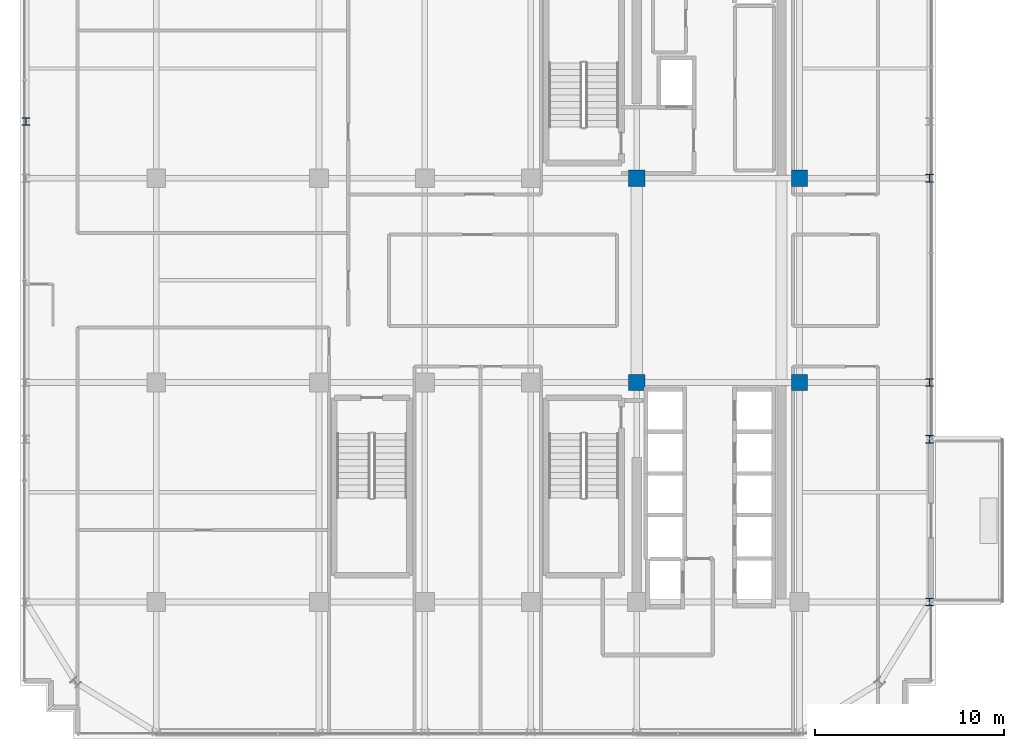
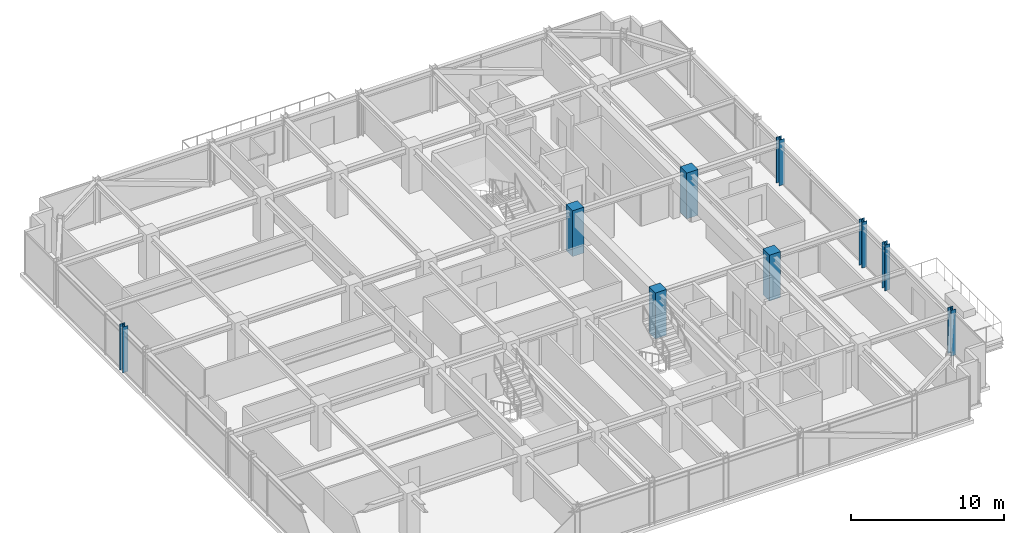
# One storey, part 2 of 42: 9 columns.
"""IFC4 building model written with IfcOpenShell, lengths in metres."""

from ifc_helpers import new_model, si_unit, direction, frame, origin, origin_2d, place, context, subcontext, project, spatial, rectangle, i_section, extrude, source, transform, mapped, material, material_profile, profile_set, type_object, element, save


model = new_model("IFC4")

# Units and contexts
model_context = context("Model", 3, precision=1e-05, world=origin(), true_north=direction((0.0, 1.0)))
body_context = subcontext(model_context, "Body", "Model", "MODEL_VIEW")
ifc_project = project(units=[si_unit("LENGTHUNIT", "METRE"), si_unit("AREAUNIT", "SQUARE_METRE"), si_unit("VOLUMEUNIT", "CUBIC_METRE"), si_unit("PLANEANGLEUNIT", "RADIAN"), si_unit("MASSUNIT", "GRAM", prefix="KILO")], contexts=[model_context])

# Site, building, storey
site_placement = place(None, origin())
site = spatial("IfcSite", under=ifc_project, at=site_placement, CompositionType="ELEMENT")
building_placement = place(site_placement, origin())
building = spatial("IfcBuilding", under=site, at=building_placement, Name="Nahalor Promenade Grand Hotel", CompositionType="ELEMENT")
storey_placement = place(building_placement, frame((0.0, 0.0, 249.300048828125)))
storey = spatial("IfcBuildingStorey", under=building, at=storey_placement, Name="L64", CompositionType="ELEMENT", Elevation=249.300048828125)

# Columns
ifc_material_1 = material(Name="Concrete B-70 (C60/75)", Category="concrete")
ifc_material_profile_1 = material_profile(ifc_material_1, rectangle(XDim=0.85, YDim=0.85, at=origin_2d()), Name="RC 850x850")
ifc_profile_set_1 = profile_set([ifc_material_profile_1], Name="Concrete B-70 (C60/75)")
column_type_1 = type_object("IfcColumnType", Name="Col-Pilaster-850", PredefinedType="PILASTER", material=ifc_profile_set_1)
shared_shape_1 = source(origin(), body_context, "Body", "SweptSolid", [
    extrude(rectangle(XDim=0.85, YDim=0.85, at=origin_2d()), origin(), (0.0, 0.0, 1.0), 3.655029296875),
])
for number, where, z_axis, x_axis, name in (
    (1, (8.39990234375, -5.39990234375, 0.0), (0.0, 0.0, 1.0), (1.0, 0.0, 0.0), "COL-L64-I41"),
    (2, (8.39990234375, 5.39990234375, 0.0), (0.0, 0.0, 1.0), (1.0, 0.0, 0.0), "COL-L64-I42"),
    (3, (17.0, -5.39990234375, 0.0), (0.0, 0.0, 1.0), (1.0, 0.0, 0.0), "COL-L64-I51"),
    (4, (17.0, 5.39990234375, 0.0), (0.0, 0.0, 1.0), (1.0, 0.0, 0.0), "COL-L64-I52"),
):
    element("IfcColumn", number, at=place(storey_placement, frame(where, z_axis=z_axis, x_axis=x_axis)), inside=storey, type_object=column_type_1, Name=name, PredefinedType="PILASTER", context=body_context, shape_type="MappedRepresentation", body=[
        mapped(shared_shape_1, transform((0.0, 0.0, 0.0), scale=1.0)),
    ])
ifc_material_2 = material(Name="Steel S355JR", Category="steel")
ifc_material_profile_2 = material_profile(ifc_material_2, i_section(OverallWidth=0.401, OverallDepth=0.406, WebThickness=0.0161, FlangeThickness=0.025, at=origin_2d()), Name="HD 400x314")
ifc_profile_set_2 = profile_set([ifc_material_profile_2], Name="Steel S355JR")
column_type_2 = type_object("IfcColumnType", Name="Col-Steel-HD314", PredefinedType="COLUMN", material=ifc_profile_set_2)
shared_shape_2 = source(origin(), body_context, "Body", "SweptSolid", [
    extrude(i_section(OverallWidth=0.401, OverallDepth=0.406, WebThickness=0.0161, FlangeThickness=0.025, at=origin_2d()), origin(), (0.0, 0.0, 1.0), 3.655029296875),
])
for number, where, z_axis, x_axis, name in (
    (5, (23.8798828125, -17.0, 0.0), (0.0, 0.0, 1.0), (1.0, 0.0, 0.0), "COL-L64-PW-E0"),
    (6, (23.8798828125, -8.39990234375, 0.0), (0.0, 0.0, 1.0), (1.0, 0.0, 0.0), "COL-L64-PW-E1"),
    (7, (23.8798828125, -5.39990234375, 0.0), (0.0, 0.0, 1.0), (1.0, 0.0, 0.0), "COL-L64-PW-E2"),
    (8, (23.8798828125, 5.39990234375, 0.0), (0.0, 0.0, 1.0), (1.0, 0.0, 0.0), "COL-L64-PW-E3"),
    (9, (-23.8798828125, 8.39990234375, 0.0), (0.0, 0.0, 1.0), (1.0, 0.0, 0.0), "COL-L64-PW-W4"),
):
    element("IfcColumn", number, at=place(storey_placement, frame(where, z_axis=z_axis, x_axis=x_axis)), inside=storey, type_object=column_type_2, Name=name, PredefinedType="COLUMN", context=body_context, shape_type="MappedRepresentation", body=[
        mapped(shared_shape_2, transform((0.0, 0.0, 0.0), scale=1.0)),
    ])

save(model, "model.ifc")
